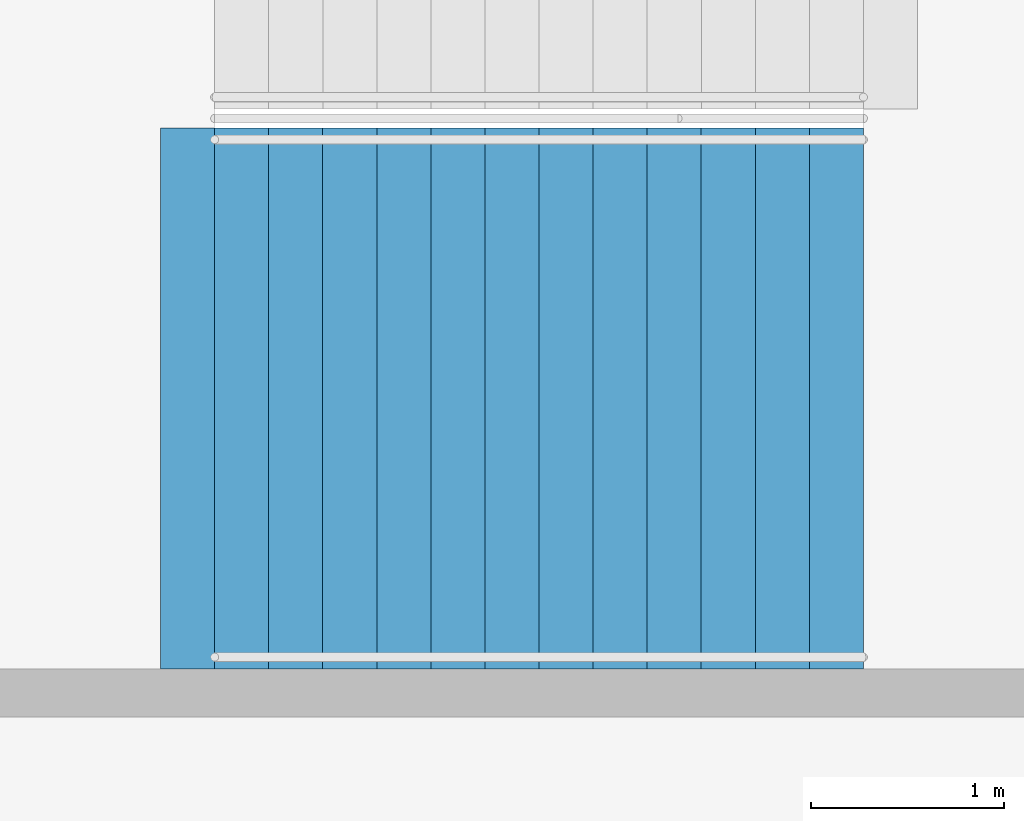
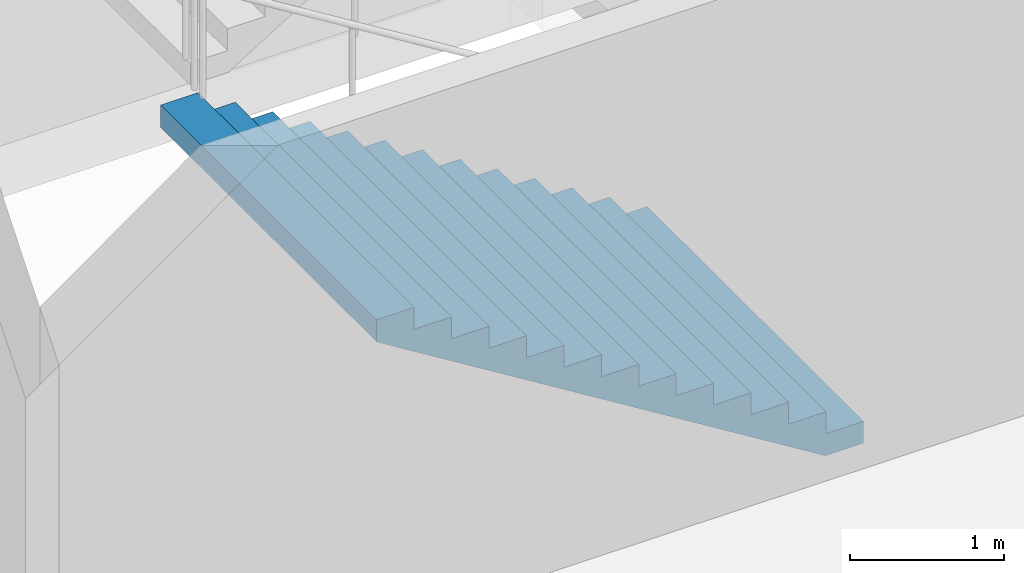
# One storey, part 112 of 177: 1 stair flight, 1 element without a shape of its own.
"""IFC4 building model written with IfcOpenShell, lengths in metres."""

from ifc_helpers import new_model, si_unit, direction, frame, origin, place, context, subcontext, project, spatial, faceted_brep, material, type_object, element, aggregate, save


model = new_model("IFC4")

# Units and contexts
model_context = context("Model", 3, precision=1e-05, world=origin(), true_north=direction((0.0, 1.0)))
body_context = subcontext(model_context, "Body", "Model", "MODEL_VIEW")
ifc_project = project(units=[si_unit("LENGTHUNIT", "METRE"), si_unit("AREAUNIT", "SQUARE_METRE"), si_unit("VOLUMEUNIT", "CUBIC_METRE"), si_unit("PLANEANGLEUNIT", "RADIAN"), si_unit("MASSUNIT", "GRAM", prefix="KILO")], contexts=[model_context])

# Site, building, storey
site_placement = place(None, origin())
site = spatial("IfcSite", under=ifc_project, at=site_placement, CompositionType="ELEMENT")
building_placement = place(site_placement, origin())
building = spatial("IfcBuilding", under=site, at=building_placement, Name="Ogive Plaza Stadium", CompositionType="ELEMENT")
storey_placement = place(building_placement, frame((0.0, 0.0, 18.0)))
storey = spatial("IfcBuildingStorey", under=building, at=storey_placement, Name="L04", CompositionType="ELEMENT", Elevation=18.0)

# Stair, stair flight
ifc_material_1 = material(Name="Concrete C40/50", Category="concrete")
stair_type = type_object("IfcStairType", Name="Exit stair", PredefinedType="STRAIGHT_RUN_STAIR", material=ifc_material_1)
stair_placement = place(storey_placement, origin())
stair = element("IfcStair", 1, at=stair_placement, inside=storey, type_object=stair_type, Name="Exit stair ST26B L04 to L05", PredefinedType="STRAIGHT_RUN_STAIR")
ifc_material_2 = material(Name="Concrete C40/50", Category="concrete")
stair_flight_type = type_object("IfcStairFlightType", Name="Exit stair flight", PredefinedType="STRAIGHT", material=ifc_material_2)
stair_flight_placement = place(storey_placement, frame((-76.35009765625, 18.074951171875, 0.0), z_axis=(0.0, 0.0, 1.0), x_axis=(-1.0, 0.0, 0.0)))
stair_flight = element("IfcStairFlight", 2, at=stair_flight_placement, type_object=stair_flight_type, Name="ST26B flight 1", NumberOfRisers=13, NumberOfTreads=12, PredefinedType="STRAIGHT", RiserHeight=0.173076923, TreadLength=0.28, context=body_context, shape_type="Brep", body=[
    faceted_brep([(0.28515625, -1.39990234375, 0.0), (3.639892578125, -1.39990234375, 2.07373046875), (3.639892578125, -1.39990234375, 2.25), (3.360107421875, -1.39990234375, 2.25), (3.360107421875, -1.39990234375, 2.076904296875), (3.080078125, -1.39990234375, 2.076904296875), (3.080078125, -1.39990234375, 1.90380859375), (2.800048828125, -1.39990234375, 1.90380859375), (2.800048828125, -1.39990234375, 1.730712890625), (2.52001953125, -1.39990234375, 1.730712890625), (2.52001953125, -1.39990234375, 1.5576171875), (2.239990234375, -1.39990234375, 1.5576171875), (2.239990234375, -1.39990234375, 1.384521484375), (1.9599609375, -1.39990234375, 1.384521484375), (1.9599609375, -1.39990234375, 1.21142578125), (1.679931640625, -1.39990234375, 1.21142578125), (1.679931640625, -1.39990234375, 1.03857421875), (1.39990234375, -1.39990234375, 1.03857421875), (1.39990234375, -1.39990234375, 0.865478515625), (1.1201171875, -1.39990234375, 0.865478515625), (1.1201171875, -1.39990234375, 0.6923828125), (0.840087890625, -1.39990234375, 0.6923828125), (0.840087890625, -1.39990234375, 0.519287109375), (0.56005859375, -1.39990234375, 0.519287109375), (0.56005859375, -1.39990234375, 0.34619140625), (0.280029296875, -1.39990234375, 0.34619140625), (0.280029296875, -1.39990234375, 0.173095703125), (0.0, -1.39990234375, 0.173095703125), (0.0, -1.39990234375, 0.0), (0.0, 1.39990234375, 0.0), (0.0, 1.39990234375, 0.173095703125), (0.280029296875, 1.39990234375, 0.173095703125), (0.280029296875, 1.39990234375, 0.34619140625), (0.56005859375, 1.39990234375, 0.34619140625), (0.56005859375, 1.39990234375, 0.519287109375), (0.840087890625, 1.39990234375, 0.519287109375), (0.840087890625, 1.39990234375, 0.6923828125), (1.1201171875, 1.39990234375, 0.6923828125), (1.1201171875, 1.39990234375, 0.865478515625), (1.39990234375, 1.39990234375, 0.865478515625), (1.39990234375, 1.39990234375, 1.03857421875), (1.679931640625, 1.39990234375, 1.03857421875), (1.679931640625, 1.39990234375, 1.21142578125), (1.9599609375, 1.39990234375, 1.21142578125), (1.9599609375, 1.39990234375, 1.384521484375), (2.239990234375, 1.39990234375, 1.384521484375), (2.239990234375, 1.39990234375, 1.5576171875), (2.52001953125, 1.39990234375, 1.5576171875), (2.52001953125, 1.39990234375, 1.730712890625), (2.800048828125, 1.39990234375, 1.730712890625), (2.800048828125, 1.39990234375, 1.90380859375), (3.080078125, 1.39990234375, 1.90380859375), (3.080078125, 1.39990234375, 2.076904296875), (3.360107421875, 1.39990234375, 2.076904296875), (3.360107421875, 1.39990234375, 2.25), (3.639892578125, 1.39990234375, 2.25), (3.639892578125, 1.39990234375, 2.07373046875), (0.28515625, 1.39990234375, 0.0), (0.28515625, -1.0888671875, 0.0), (3.639892578125, -1.0888671875, 2.07373046875), (0.28515625, -0.77783203125, 0.0), (3.639892578125, -0.77783203125, 2.07373046875), (0.28515625, -0.466796875, 0.0), (3.639892578125, -0.466796875, 2.07373046875), (0.28515625, -0.155517578125, 0.0), (3.639892578125, -0.155517578125, 2.07373046875), (0.28515625, 0.155517578125, 0.0), (3.639892578125, 0.155517578125, 2.07373046875), (0.28515625, 0.466796875, 0.0), (3.639892578125, 0.466796875, 2.07373046875), (0.28515625, 0.77783203125, 0.0), (3.639892578125, 0.77783203125, 2.07373046875), (0.28515625, 1.0888671875, 0.0), (3.639892578125, 1.0888671875, 2.07373046875), (3.639892578125, -1.0888671875, 2.25), (3.639892578125, -0.77783203125, 2.25), (3.639892578125, -0.466796875, 2.25), (3.639892578125, -0.155517578125, 2.25), (3.639892578125, 0.155517578125, 2.25), (3.639892578125, 0.466796875, 2.25), (3.639892578125, 0.77783203125, 2.25), (3.639892578125, 1.0888671875, 2.25), (3.360107421875, -1.0888671875, 2.25), (3.360107421875, -0.77783203125, 2.25), (3.360107421875, -0.466796875, 2.25), (3.360107421875, -0.155517578125, 2.25), (3.360107421875, 0.155517578125, 2.25), (3.360107421875, 0.466796875, 2.25), (3.360107421875, 0.77783203125, 2.25), (3.360107421875, 1.0888671875, 2.25), (3.360107421875, -1.0888671875, 2.076904296875), (3.360107421875, -0.77783203125, 2.076904296875), (3.360107421875, -0.466796875, 2.076904296875), (3.360107421875, -0.155517578125, 2.076904296875), (3.360107421875, 0.155517578125, 2.076904296875), (3.360107421875, 0.466796875, 2.076904296875), (3.360107421875, 0.77783203125, 2.076904296875), (3.360107421875, 1.0888671875, 2.076904296875), (3.080078125, -1.0888671875, 2.076904296875), (3.080078125, -0.77783203125, 2.076904296875), (3.080078125, -0.466796875, 2.076904296875), (3.080078125, -0.155517578125, 2.076904296875), (3.080078125, 0.155517578125, 2.076904296875), (3.080078125, 0.466796875, 2.076904296875), (3.080078125, 0.77783203125, 2.076904296875), (3.080078125, 1.0888671875, 2.076904296875), (3.080078125, -1.0888671875, 1.90380859375), (3.080078125, -0.77783203125, 1.90380859375), (3.080078125, -0.466796875, 1.90380859375), (3.080078125, -0.155517578125, 1.90380859375), (3.080078125, 0.155517578125, 1.90380859375), (3.080078125, 0.466796875, 1.90380859375), (3.080078125, 0.77783203125, 1.90380859375), (3.080078125, 1.0888671875, 1.90380859375), (2.800048828125, -1.0888671875, 1.90380859375), (2.800048828125, -0.77783203125, 1.90380859375), (2.800048828125, -0.466796875, 1.90380859375), (2.800048828125, -0.155517578125, 1.90380859375), (2.800048828125, 0.155517578125, 1.90380859375), (2.800048828125, 0.466796875, 1.90380859375), (2.800048828125, 0.77783203125, 1.90380859375), (2.800048828125, 1.0888671875, 1.90380859375), (2.800048828125, -1.0888671875, 1.730712890625), (2.800048828125, -0.77783203125, 1.730712890625), (2.800048828125, -0.466796875, 1.730712890625), (2.800048828125, -0.155517578125, 1.730712890625), (2.800048828125, 0.155517578125, 1.730712890625), (2.800048828125, 0.466796875, 1.730712890625), (2.800048828125, 0.77783203125, 1.730712890625), (2.800048828125, 1.0888671875, 1.730712890625), (2.52001953125, -1.0888671875, 1.730712890625), (2.52001953125, -0.77783203125, 1.730712890625), (2.52001953125, -0.466796875, 1.730712890625), (2.52001953125, -0.155517578125, 1.730712890625), (2.52001953125, 0.155517578125, 1.730712890625), (2.52001953125, 0.466796875, 1.730712890625), (2.52001953125, 0.77783203125, 1.730712890625), (2.52001953125, 1.0888671875, 1.730712890625), (2.52001953125, -1.0888671875, 1.5576171875), (2.52001953125, -0.77783203125, 1.5576171875), (2.52001953125, -0.466796875, 1.5576171875), (2.52001953125, -0.155517578125, 1.5576171875), (2.52001953125, 0.155517578125, 1.5576171875), (2.52001953125, 0.466796875, 1.5576171875), (2.52001953125, 0.77783203125, 1.5576171875), (2.52001953125, 1.0888671875, 1.5576171875), (2.239990234375, -1.0888671875, 1.5576171875), (2.239990234375, -0.77783203125, 1.5576171875), (2.239990234375, -0.466796875, 1.5576171875), (2.239990234375, -0.155517578125, 1.5576171875), (2.239990234375, 0.155517578125, 1.5576171875), (2.239990234375, 0.466796875, 1.5576171875), (2.239990234375, 0.77783203125, 1.5576171875), (2.239990234375, 1.0888671875, 1.5576171875), (2.239990234375, -1.0888671875, 1.384521484375), (2.239990234375, -0.77783203125, 1.384521484375), (2.239990234375, -0.466796875, 1.384521484375), (2.239990234375, -0.155517578125, 1.384521484375), (2.239990234375, 0.155517578125, 1.384521484375), (2.239990234375, 0.466796875, 1.384521484375), (2.239990234375, 0.77783203125, 1.384521484375), (2.239990234375, 1.0888671875, 1.384521484375), (1.9599609375, -1.0888671875, 1.384521484375), (1.9599609375, -0.77783203125, 1.384521484375), (1.9599609375, -0.466796875, 1.384521484375), (1.9599609375, -0.155517578125, 1.384521484375), (1.9599609375, 0.155517578125, 1.384521484375), (1.9599609375, 0.466796875, 1.384521484375), (1.9599609375, 0.77783203125, 1.384521484375), (1.9599609375, 1.0888671875, 1.384521484375), (1.9599609375, -1.0888671875, 1.21142578125), (1.9599609375, -0.77783203125, 1.21142578125), (1.9599609375, -0.466796875, 1.21142578125), (1.9599609375, -0.155517578125, 1.21142578125), (1.9599609375, 0.155517578125, 1.21142578125), (1.9599609375, 0.466796875, 1.21142578125), (1.9599609375, 0.77783203125, 1.21142578125), (1.9599609375, 1.0888671875, 1.21142578125), (1.679931640625, -1.0888671875, 1.21142578125), (1.679931640625, -0.77783203125, 1.21142578125), (1.679931640625, -0.466796875, 1.21142578125), (1.679931640625, -0.155517578125, 1.21142578125), (1.679931640625, 0.155517578125, 1.21142578125), (1.679931640625, 0.466796875, 1.21142578125), (1.679931640625, 0.77783203125, 1.21142578125), (1.679931640625, 1.0888671875, 1.21142578125), (1.679931640625, -1.0888671875, 1.03857421875), (1.679931640625, -0.77783203125, 1.03857421875), (1.679931640625, -0.466796875, 1.03857421875), (1.679931640625, -0.155517578125, 1.03857421875), (1.679931640625, 0.155517578125, 1.03857421875), (1.679931640625, 0.466796875, 1.03857421875), (1.679931640625, 0.77783203125, 1.03857421875), (1.679931640625, 1.0888671875, 1.03857421875), (1.39990234375, -1.0888671875, 1.03857421875), (1.39990234375, -0.77783203125, 1.03857421875), (1.39990234375, -0.466796875, 1.03857421875), (1.39990234375, -0.155517578125, 1.03857421875), (1.39990234375, 0.155517578125, 1.03857421875), (1.39990234375, 0.466796875, 1.03857421875), (1.39990234375, 0.77783203125, 1.03857421875), (1.39990234375, 1.0888671875, 1.03857421875), (1.39990234375, -1.0888671875, 0.865478515625), (1.39990234375, -0.77783203125, 0.865478515625), (1.39990234375, -0.466796875, 0.865478515625), (1.39990234375, -0.155517578125, 0.865478515625), (1.39990234375, 0.155517578125, 0.865478515625), (1.39990234375, 0.466796875, 0.865478515625), (1.39990234375, 0.77783203125, 0.865478515625), (1.39990234375, 1.0888671875, 0.865478515625), (1.1201171875, -1.0888671875, 0.865478515625), (1.1201171875, -0.77783203125, 0.865478515625), (1.1201171875, -0.466796875, 0.865478515625), (1.1201171875, -0.155517578125, 0.865478515625), (1.1201171875, 0.155517578125, 0.865478515625), (1.1201171875, 0.466796875, 0.865478515625), (1.1201171875, 0.77783203125, 0.865478515625), (1.1201171875, 1.0888671875, 0.865478515625), (1.1201171875, -1.0888671875, 0.6923828125), (1.1201171875, -0.77783203125, 0.6923828125), (1.1201171875, -0.466796875, 0.6923828125), (1.1201171875, -0.155517578125, 0.6923828125), (1.1201171875, 0.155517578125, 0.6923828125), (1.1201171875, 0.466796875, 0.6923828125), (1.1201171875, 0.77783203125, 0.6923828125), (1.1201171875, 1.0888671875, 0.6923828125), (0.840087890625, -1.0888671875, 0.6923828125), (0.840087890625, -0.77783203125, 0.6923828125), (0.840087890625, -0.466796875, 0.6923828125), (0.840087890625, -0.155517578125, 0.6923828125), (0.840087890625, 0.155517578125, 0.6923828125), (0.840087890625, 0.466796875, 0.6923828125), (0.840087890625, 0.77783203125, 0.6923828125), (0.840087890625, 1.0888671875, 0.6923828125), (0.840087890625, -1.0888671875, 0.519287109375), (0.840087890625, -0.77783203125, 0.519287109375), (0.840087890625, -0.466796875, 0.519287109375), (0.840087890625, -0.155517578125, 0.519287109375), (0.840087890625, 0.155517578125, 0.519287109375), (0.840087890625, 0.466796875, 0.519287109375), (0.840087890625, 0.77783203125, 0.519287109375), (0.840087890625, 1.0888671875, 0.519287109375), (0.56005859375, -1.0888671875, 0.519287109375), (0.56005859375, -0.77783203125, 0.519287109375), (0.56005859375, -0.466796875, 0.519287109375), (0.56005859375, -0.155517578125, 0.519287109375), (0.56005859375, 0.155517578125, 0.519287109375), (0.56005859375, 0.466796875, 0.519287109375), (0.56005859375, 0.77783203125, 0.519287109375), (0.56005859375, 1.0888671875, 0.519287109375), (0.56005859375, -1.0888671875, 0.34619140625), (0.56005859375, -0.77783203125, 0.34619140625), (0.56005859375, -0.466796875, 0.34619140625), (0.56005859375, -0.155517578125, 0.34619140625), (0.56005859375, 0.155517578125, 0.34619140625), (0.56005859375, 0.466796875, 0.34619140625), (0.56005859375, 0.77783203125, 0.34619140625), (0.56005859375, 1.0888671875, 0.34619140625), (0.280029296875, -1.0888671875, 0.34619140625), (0.280029296875, -0.77783203125, 0.34619140625), (0.280029296875, -0.466796875, 0.34619140625), (0.280029296875, -0.155517578125, 0.34619140625), (0.280029296875, 0.155517578125, 0.34619140625), (0.280029296875, 0.466796875, 0.34619140625), (0.280029296875, 0.77783203125, 0.34619140625), (0.280029296875, 1.0888671875, 0.34619140625), (0.280029296875, -1.0888671875, 0.173095703125), (0.280029296875, -0.77783203125, 0.173095703125), (0.280029296875, -0.466796875, 0.173095703125), (0.280029296875, -0.155517578125, 0.173095703125), (0.280029296875, 0.155517578125, 0.173095703125), (0.280029296875, 0.466796875, 0.173095703125), (0.280029296875, 0.77783203125, 0.173095703125), (0.280029296875, 1.0888671875, 0.173095703125), (0.0, -1.0888671875, 0.173095703125), (0.0, -0.77783203125, 0.173095703125), (0.0, -0.466796875, 0.173095703125), (0.0, -0.155517578125, 0.173095703125), (0.0, 0.155517578125, 0.173095703125), (0.0, 0.466796875, 0.173095703125), (0.0, 0.77783203125, 0.173095703125), (0.0, 1.0888671875, 0.173095703125), (0.0, -1.0888671875, 0.0), (0.0, -0.77783203125, 0.0), (0.0, -0.466796875, 0.0), (0.0, -0.155517578125, 0.0), (0.0, 0.155517578125, 0.0), (0.0, 0.466796875, 0.0), (0.0, 0.77783203125, 0.0), (0.0, 1.0888671875, 0.0)], [[[0, 1, 2, 3, 4, 5, 6, 7, 8, 9, 10, 11, 12, 13, 14, 15, 16, 17, 18, 19, 20, 21, 22, 23, 24, 25, 26, 27, 28]], [[29, 30, 31, 32, 33, 34, 35, 36, 37, 38, 39, 40, 41, 42, 43, 44, 45, 46, 47, 48, 49, 50, 51, 52, 53, 54, 55, 56, 57]], [[0, 58, 59, 1]], [[58, 60, 61, 59]], [[60, 62, 63, 61]], [[62, 64, 65, 63]], [[64, 66, 67, 65]], [[66, 68, 69, 67]], [[68, 70, 71, 69]], [[70, 72, 73, 71]], [[72, 57, 56, 73]], [[1, 59, 74, 2]], [[59, 61, 75, 74]], [[61, 63, 76, 75]], [[63, 65, 77, 76]], [[65, 67, 78, 77]], [[67, 69, 79, 78]], [[69, 71, 80, 79]], [[71, 73, 81, 80]], [[73, 56, 55, 81]], [[2, 74, 82, 3]], [[74, 75, 83, 82]], [[75, 76, 84, 83]], [[76, 77, 85, 84]], [[77, 78, 86, 85]], [[78, 79, 87, 86]], [[79, 80, 88, 87]], [[80, 81, 89, 88]], [[81, 55, 54, 89]], [[3, 82, 90, 4]], [[82, 83, 91, 90]], [[83, 84, 92, 91]], [[84, 85, 93, 92]], [[85, 86, 94, 93]], [[86, 87, 95, 94]], [[87, 88, 96, 95]], [[88, 89, 97, 96]], [[89, 54, 53, 97]], [[4, 90, 98, 5]], [[90, 91, 99, 98]], [[91, 92, 100, 99]], [[92, 93, 101, 100]], [[93, 94, 102, 101]], [[94, 95, 103, 102]], [[95, 96, 104, 103]], [[96, 97, 105, 104]], [[97, 53, 52, 105]], [[5, 98, 106, 6]], [[98, 99, 107, 106]], [[99, 100, 108, 107]], [[100, 101, 109, 108]], [[101, 102, 110, 109]], [[102, 103, 111, 110]], [[103, 104, 112, 111]], [[104, 105, 113, 112]], [[105, 52, 51, 113]], [[6, 106, 114, 7]], [[106, 107, 115, 114]], [[107, 108, 116, 115]], [[108, 109, 117, 116]], [[109, 110, 118, 117]], [[110, 111, 119, 118]], [[111, 112, 120, 119]], [[112, 113, 121, 120]], [[113, 51, 50, 121]], [[7, 114, 122, 8]], [[114, 115, 123, 122]], [[115, 116, 124, 123]], [[116, 117, 125, 124]], [[117, 118, 126, 125]], [[118, 119, 127, 126]], [[119, 120, 128, 127]], [[120, 121, 129, 128]], [[121, 50, 49, 129]], [[8, 122, 130, 9]], [[122, 123, 131, 130]], [[123, 124, 132, 131]], [[124, 125, 133, 132]], [[125, 126, 134, 133]], [[126, 127, 135, 134]], [[127, 128, 136, 135]], [[128, 129, 137, 136]], [[129, 49, 48, 137]], [[9, 130, 138, 10]], [[130, 131, 139, 138]], [[131, 132, 140, 139]], [[132, 133, 141, 140]], [[133, 134, 142, 141]], [[134, 135, 143, 142]], [[135, 136, 144, 143]], [[136, 137, 145, 144]], [[137, 48, 47, 145]], [[10, 138, 146, 11]], [[138, 139, 147, 146]], [[139, 140, 148, 147]], [[140, 141, 149, 148]], [[141, 142, 150, 149]], [[142, 143, 151, 150]], [[143, 144, 152, 151]], [[144, 145, 153, 152]], [[145, 47, 46, 153]], [[11, 146, 154, 12]], [[146, 147, 155, 154]], [[147, 148, 156, 155]], [[148, 149, 157, 156]], [[149, 150, 158, 157]], [[150, 151, 159, 158]], [[151, 152, 160, 159]], [[152, 153, 161, 160]], [[153, 46, 45, 161]], [[12, 154, 162, 13]], [[154, 155, 163, 162]], [[155, 156, 164, 163]], [[156, 157, 165, 164]], [[157, 158, 166, 165]], [[158, 159, 167, 166]], [[159, 160, 168, 167]], [[160, 161, 169, 168]], [[161, 45, 44, 169]], [[13, 162, 170, 14]], [[162, 163, 171, 170]], [[163, 164, 172, 171]], [[164, 165, 173, 172]], [[165, 166, 174, 173]], [[166, 167, 175, 174]], [[167, 168, 176, 175]], [[168, 169, 177, 176]], [[169, 44, 43, 177]], [[14, 170, 178, 15]], [[170, 171, 179, 178]], [[171, 172, 180, 179]], [[172, 173, 181, 180]], [[173, 174, 182, 181]], [[174, 175, 183, 182]], [[175, 176, 184, 183]], [[176, 177, 185, 184]], [[177, 43, 42, 185]], [[15, 178, 186, 16]], [[178, 179, 187, 186]], [[179, 180, 188, 187]], [[180, 181, 189, 188]], [[181, 182, 190, 189]], [[182, 183, 191, 190]], [[183, 184, 192, 191]], [[184, 185, 193, 192]], [[185, 42, 41, 193]], [[16, 186, 194, 17]], [[186, 187, 195, 194]], [[187, 188, 196, 195]], [[188, 189, 197, 196]], [[189, 190, 198, 197]], [[190, 191, 199, 198]], [[191, 192, 200, 199]], [[192, 193, 201, 200]], [[193, 41, 40, 201]], [[17, 194, 202, 18]], [[194, 195, 203, 202]], [[195, 196, 204, 203]], [[196, 197, 205, 204]], [[197, 198, 206, 205]], [[198, 199, 207, 206]], [[199, 200, 208, 207]], [[200, 201, 209, 208]], [[201, 40, 39, 209]], [[18, 202, 210, 19]], [[202, 203, 211, 210]], [[203, 204, 212, 211]], [[204, 205, 213, 212]], [[205, 206, 214, 213]], [[206, 207, 215, 214]], [[207, 208, 216, 215]], [[208, 209, 217, 216]], [[209, 39, 38, 217]], [[19, 210, 218, 20]], [[210, 211, 219, 218]], [[211, 212, 220, 219]], [[212, 213, 221, 220]], [[213, 214, 222, 221]], [[214, 215, 223, 222]], [[215, 216, 224, 223]], [[216, 217, 225, 224]], [[217, 38, 37, 225]], [[20, 218, 226, 21]], [[218, 219, 227, 226]], [[219, 220, 228, 227]], [[220, 221, 229, 228]], [[221, 222, 230, 229]], [[222, 223, 231, 230]], [[223, 224, 232, 231]], [[224, 225, 233, 232]], [[225, 37, 36, 233]], [[21, 226, 234, 22]], [[226, 227, 235, 234]], [[227, 228, 236, 235]], [[228, 229, 237, 236]], [[229, 230, 238, 237]], [[230, 231, 239, 238]], [[231, 232, 240, 239]], [[232, 233, 241, 240]], [[233, 36, 35, 241]], [[22, 234, 242, 23]], [[234, 235, 243, 242]], [[235, 236, 244, 243]], [[236, 237, 245, 244]], [[237, 238, 246, 245]], [[238, 239, 247, 246]], [[239, 240, 248, 247]], [[240, 241, 249, 248]], [[241, 35, 34, 249]], [[23, 242, 250, 24]], [[242, 243, 251, 250]], [[243, 244, 252, 251]], [[244, 245, 253, 252]], [[245, 246, 254, 253]], [[246, 247, 255, 254]], [[247, 248, 256, 255]], [[248, 249, 257, 256]], [[249, 34, 33, 257]], [[24, 250, 258, 25]], [[250, 251, 259, 258]], [[251, 252, 260, 259]], [[252, 253, 261, 260]], [[253, 254, 262, 261]], [[254, 255, 263, 262]], [[255, 256, 264, 263]], [[256, 257, 265, 264]], [[257, 33, 32, 265]], [[25, 258, 266, 26]], [[258, 259, 267, 266]], [[259, 260, 268, 267]], [[260, 261, 269, 268]], [[261, 262, 270, 269]], [[262, 263, 271, 270]], [[263, 264, 272, 271]], [[264, 265, 273, 272]], [[265, 32, 31, 273]], [[26, 266, 274, 27]], [[266, 267, 275, 274]], [[267, 268, 276, 275]], [[268, 269, 277, 276]], [[269, 270, 278, 277]], [[270, 271, 279, 278]], [[271, 272, 280, 279]], [[272, 273, 281, 280]], [[273, 31, 30, 281]], [[27, 274, 282, 28]], [[274, 275, 283, 282]], [[275, 276, 284, 283]], [[276, 277, 285, 284]], [[277, 278, 286, 285]], [[278, 279, 287, 286]], [[279, 280, 288, 287]], [[280, 281, 289, 288]], [[281, 30, 29, 289]], [[28, 282, 58, 0]], [[282, 283, 60, 58]], [[283, 284, 62, 60]], [[284, 285, 64, 62]], [[285, 286, 66, 64]], [[286, 287, 68, 66]], [[287, 288, 70, 68]], [[288, 289, 72, 70]], [[289, 29, 57, 72]]]),
])
aggregate(stair, [stair_flight])

save(model, "model.ifc")
